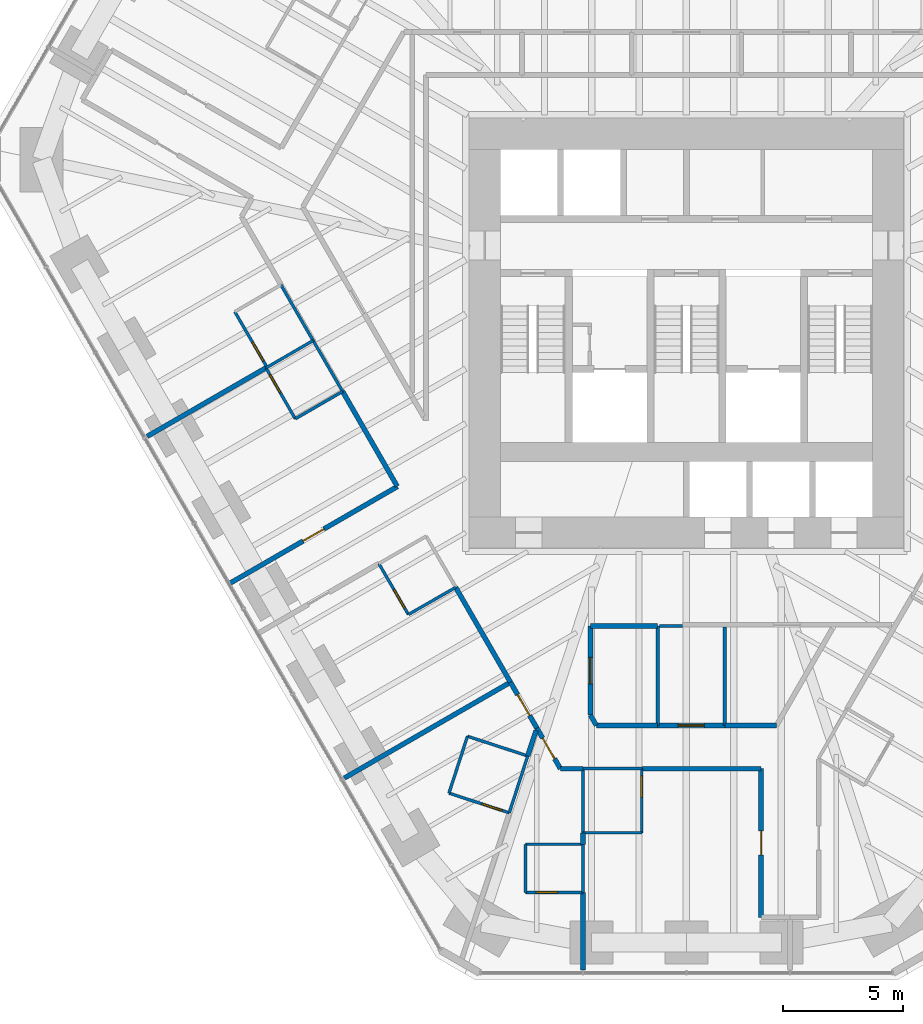
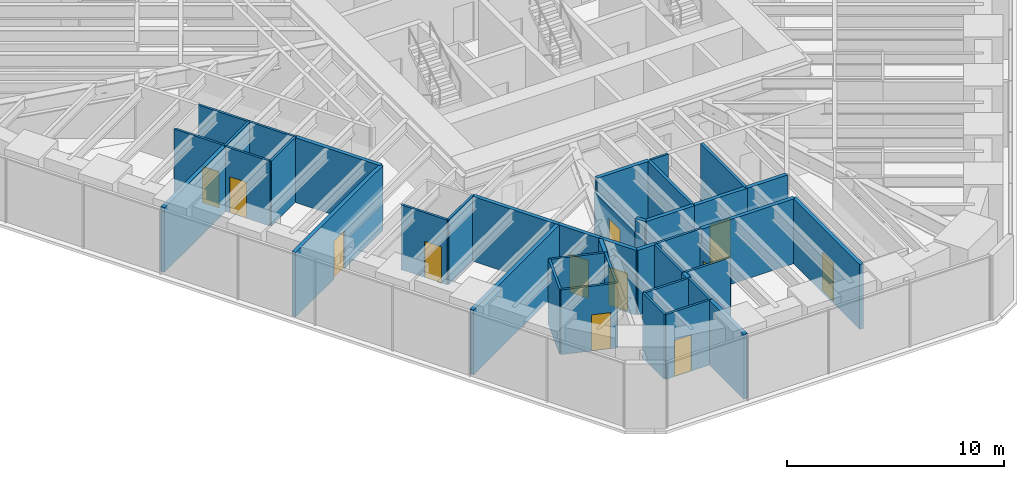
# One storey, part 11 of 17: 42 walls, 12 doors, 12 openings.
"""IFC4 building model written with IfcOpenShell, lengths in metres."""

from ifc_helpers import new_model, si_unit, direction, frame, frame_2d, origin, place, context, subcontext, project, spatial, rectangle, extrude, material, layer, layer_set, type_object, element, fill, save


model = new_model("IFC4")

# Units and contexts
model_context = context("Model", 3, precision=1e-05, world=origin(), true_north=direction((0.0, 1.0)))
body_context = subcontext(model_context, "Body", "Model", "MODEL_VIEW")
ifc_project = project(units=[si_unit("LENGTHUNIT", "METRE"), si_unit("AREAUNIT", "SQUARE_METRE"), si_unit("VOLUMEUNIT", "CUBIC_METRE"), si_unit("PLANEANGLEUNIT", "RADIAN"), si_unit("MASSUNIT", "GRAM", prefix="KILO")], contexts=[model_context])

# Site, building, storey
site_placement = place(None, origin())
site = spatial("IfcSite", under=ifc_project, at=site_placement, CompositionType="ELEMENT")
building_placement = place(site_placement, origin())
building = spatial("IfcBuilding", under=site, at=building_placement, Name="Sandreach Pilgrim Tower", CompositionType="ELEMENT")
storey_placement = place(building_placement, frame((0.0, 0.0, 123.39990234375)))
storey = spatial("IfcBuildingStorey", under=building, at=storey_placement, Name="L30", CompositionType="ELEMENT", Elevation=123.39990234375)

# Walls
ifc_material_1 = material(Name="Gypsum board on steel studs", Category="steel")
ifc_layer_1 = layer(ifc_material_1, 0.14990234375)
ifc_layer_set_1 = layer_set([ifc_layer_1], Name="Back of house wall 150")
wall_type_1 = type_object("IfcWallType", Name="Back of house wall 150", PredefinedType="PARTITIONING", material=ifc_layer_set_1)
wall_1_placement = place(storey_placement, frame((-1.199951171875, -13.75, 0.0), z_axis=(0.0, 0.0, 1.0), x_axis=(0.0, -1.0, 0.0)))
element("IfcWall", 1, at=wall_1_placement, inside=storey, type_object=wall_type_1, Name="Back of house wall L30-089", PredefinedType="PARTITIONING", context=body_context, shape_type="SweptSolid", body=[
    extrude(rectangle(XDim=4.139892578125, YDim=0.14990234375, at=frame_2d((2.06982421875, 0.0))), origin(), (0.0, 0.0, 1.0), 3.64013671875),
])
wall_2_placement = place(storey_placement, frame((1.60009765625, -13.800048828125, 0.0), z_axis=(0.0, 0.0, 1.0), x_axis=(0.0, -1.0, 0.0)))
element("IfcWall", 2, at=wall_2_placement, inside=storey, type_object=wall_type_1, Name="Back of house wall L30-093", PredefinedType="PARTITIONING", context=body_context, shape_type="SweptSolid", body=[
    extrude(rectangle(XDim=4.08984375, YDim=0.14990234375, at=frame_2d((2.044921875, 0.0))), origin(), (0.0, 0.0, 1.0), 3.64013671875),
])

# Wall, opening, door
ifc_material_2 = material(Name="Moisture-resistant gypsum board on steel studs", Category="steel")
ifc_layer_2 = layer(ifc_material_2, 0.1201171875)
ifc_layer_set_2 = layer_set([ifc_layer_2], Name="Bathroom partition 120")
wall_type_2 = type_object("IfcWallType", Name="Bathroom partition 120", PredefinedType="PARTITIONING", material=ifc_layer_set_2)
wall_3_placement = place(storey_placement, frame((-18.81005859375, -0.659912109375, 0.0), z_axis=(0.0, 0.0, 1.0), x_axis=(0.501789229896, -0.86498992408, 0.0)))
wall_3 = element("IfcWall", 3, at=wall_3_placement, inside=storey, type_object=wall_type_2, Name="Bathroom partition L30-007", PredefinedType="PARTITIONING", context=body_context, shape_type="SweptSolid", body=[
    extrude(rectangle(XDim=2.670654296875, YDim=0.1201171875, at=frame_2d((1.33544921875, 0.0))), origin(), (0.0, 0.0, 1.0), 3.64013671875),
])
opening_1_placement = place(wall_3_placement, frame((1.470458984375, 0.0, 0.0)))
opening_1 = element("IfcOpeningElement", 4, at=opening_1_placement, cuts=wall_3, Name="Opening D09-17B", PredefinedType="OPENING", context=body_context, shape_type="SweptSolid", body=[
    extrude(rectangle(XDim=0.89990234375, YDim=2.030029296875, at=frame_2d((0.449951171875, 1.01513671875))), frame((0.0, 0.06005859375, 0.0), z_axis=(0.0, -1.0, 0.0), x_axis=(1.0, 0.0, 0.0)), (0.0, 0.0, 1.0), 0.1201171875),
])
ifc_material_3 = material(Name="Timber door, steel frame", Category="steel")
door_type_1 = type_object("IfcDoorType", Name="Bathroom door", OperationType="SINGLE_SWING_LEFT", PredefinedType="DOOR", material=ifc_material_3)
door_1_placement = place(opening_1_placement, origin())
door_1 = element("IfcDoor", 5, at=door_1_placement, inside=storey, type_object=door_type_1, Name="Door 3017B", OperationType="SINGLE_SWING_RIGHT", OverallHeight=2.030029296875, OverallWidth=0.89990234375, PredefinedType="DOOR", context=body_context, shape_type="SweptSolid", body=[
    extrude(rectangle(XDim=0.89990234375, YDim=2.030029296875, at=frame_2d((0.449951171875, 1.01513671875))), frame((0.0, 0.02490234375, 0.0), z_axis=(0.0, -1.0, 0.0), x_axis=(1.0, 0.0, 0.0)), (0.0, 0.0, 1.0), 0.050048828125),
])
fill(opening_1, door_1)

# Wall
wall_4_placement = place(storey_placement, frame((-17.510009765625, -3.0, 0.0), z_axis=(0.0, 0.0, 1.0), x_axis=(0.864434275542, 0.502745843611, 0.0)))
element("IfcWall", 6, at=wall_4_placement, inside=storey, type_object=wall_type_2, Name="Bathroom partition L30-011", PredefinedType="PARTITIONING", context=body_context, shape_type="SweptSolid", body=[
    extrude(rectangle(XDim=2.267333984375, YDim=0.1201171875, at=frame_2d((1.1337890625, 0.0))), origin(), (0.0, 0.0, 1.0), 3.64013671875),
])

# Wall, opening, door
wall_5_placement = place(storey_placement, frame((-17.507568359375, -3.00439453125, 0.0), z_axis=(0.0, 0.0, 1.0), x_axis=(0.498775507858, -0.866731211369, 0.0)))
wall_5 = element("IfcWall", 7, at=wall_5_placement, inside=storey, type_object=wall_type_2, Name="Bathroom partition L30-012", PredefinedType="PARTITIONING", context=body_context, shape_type="SweptSolid", body=[
    extrude(rectangle(XDim=2.44091796875, YDim=0.1201171875, at=frame_2d((1.220458984375, 0.0))), origin(), (0.0, 0.0, 1.0), 3.64013671875),
])
opening_2_placement = place(wall_5_placement, frame((0.300048828125, 0.0, 0.0)))
opening_2 = element("IfcOpeningElement", 8, at=opening_2_placement, cuts=wall_5, Name="Opening D09-16B", PredefinedType="OPENING", context=body_context, shape_type="SweptSolid", body=[
    extrude(rectangle(XDim=0.89990234375, YDim=2.030029296875, at=frame_2d((0.449951171875, 1.01513671875))), frame((0.0, 0.06005859375, 0.0), z_axis=(0.0, -1.0, 0.0), x_axis=(1.0, 0.0, 0.0)), (0.0, 0.0, 1.0), 0.1201171875),
])
door_2_placement = place(opening_2_placement, origin())
door_2 = element("IfcDoor", 9, at=door_2_placement, inside=storey, type_object=door_type_1, Name="Door 3016B", OperationType="SINGLE_SWING_LEFT", OverallHeight=2.030029296875, OverallWidth=0.89990234375, PredefinedType="DOOR", context=body_context, shape_type="SweptSolid", body=[
    extrude(rectangle(XDim=0.89990234375, YDim=2.030029296875, at=frame_2d((0.449951171875, 1.01513671875))), frame((0.0, 0.02490234375, 0.0), z_axis=(0.0, -1.0, 0.0), x_axis=(1.0, 0.0, 0.0)), (0.0, 0.0, 1.0), 0.050048828125),
])
fill(opening_2, door_2)

# Walls
wall_6_placement = place(storey_placement, frame((-16.2900390625, -5.1201171875, 0.0), z_axis=(0.0, 0.0, 1.0), x_axis=(0.865497265561, 0.500913648553, 0.0)))
element("IfcWall", 10, at=wall_6_placement, inside=storey, type_object=wall_type_2, Name="Bathroom partition L30-019", PredefinedType="PARTITIONING", context=body_context, shape_type="SweptSolid", body=[
    extrude(rectangle(XDim=2.276123046875, YDim=0.1201171875, at=frame_2d((1.13818359375, 0.0))), origin(), (0.0, 0.0, 1.0), 3.64013671875),
])
wall_7_placement = place(storey_placement, frame((-15.550048828125, -1.860107421875, 0.0), z_axis=(0.0, 0.0, 1.0), x_axis=(-0.500098439427, 0.865968562295, 0.0)))
element("IfcWall", 11, at=wall_7_placement, inside=storey, type_object=wall_type_2, Name="Bathroom partition L30-024", PredefinedType="PARTITIONING", context=body_context, shape_type="SweptSolid", body=[
    extrude(rectangle(XDim=2.67919921875, YDim=0.1201171875, at=frame_2d((1.339599609375, 0.0))), origin(), (0.0, 0.0, 1.0), 3.64013671875),
])
wall_8_placement = place(storey_placement, frame((-15.550048828125, -1.860107421875, 0.0), z_axis=(0.0, 0.0, 1.0), x_axis=(0.501856726365, -0.86495076519, 0.0)))
element("IfcWall", 12, at=wall_8_placement, inside=storey, type_object=wall_type_2, Name="Bathroom partition L30-025", PredefinedType="PARTITIONING", context=body_context, shape_type="SweptSolid", body=[
    extrude(rectangle(XDim=2.450927734375, YDim=0.1201171875, at=frame_2d((1.2255859375, 0.0))), origin(), (0.0, 0.0, 1.0), 3.64013671875),
])

# Wall, opening, door
wall_9_placement = place(storey_placement, frame((-12.81005859375, -11.14990234375, 0.0), z_axis=(0.0, 0.0, 1.0), x_axis=(0.501813488763, -0.864975850817, 0.0)))
wall_9 = element("IfcWall", 13, at=wall_9_placement, inside=storey, type_object=wall_type_2, Name="Bathroom partition L30-034", PredefinedType="PARTITIONING", context=body_context, shape_type="SweptSolid", body=[
    extrude(rectangle(XDim=2.451171875, YDim=0.1201171875, at=frame_2d((1.2255859375, 0.0))), origin(), (0.0, 0.0, 1.0), 3.64013671875),
])
opening_3_placement = place(wall_9_placement, frame((1.2509765625, 0.0, 0.0)))
opening_3 = element("IfcOpeningElement", 14, at=opening_3_placement, cuts=wall_9, Name="Opening D09-15B", PredefinedType="OPENING", context=body_context, shape_type="SweptSolid", body=[
    extrude(rectangle(XDim=0.89990234375, YDim=2.030029296875, at=frame_2d((0.449951171875, 1.01513671875))), frame((0.0, 0.06005859375, 0.0), z_axis=(0.0, -1.0, 0.0), x_axis=(1.0, 0.0, 0.0)), (0.0, 0.0, 1.0), 0.1201171875),
])
door_3_placement = place(opening_3_placement, origin())
door_3 = element("IfcDoor", 15, at=door_3_placement, inside=storey, type_object=door_type_1, Name="Door 3015B", OperationType="SINGLE_SWING_RIGHT", OverallHeight=2.030029296875, OverallWidth=0.89990234375, PredefinedType="DOOR", context=body_context, shape_type="SweptSolid", body=[
    extrude(rectangle(XDim=0.89990234375, YDim=2.030029296875, at=frame_2d((0.449951171875, 1.01513671875))), frame((0.0, 0.02490234375, 0.0), z_axis=(0.0, -1.0, 0.0), x_axis=(1.0, 0.0, 0.0)), (0.0, 0.0, 1.0), 0.050048828125),
])
fill(opening_3, door_3)

# Wall
wall_10_placement = place(storey_placement, frame((-11.580078125, -13.27001953125, 0.0), z_axis=(0.0, 0.0, 1.0), x_axis=(0.867428373024, 0.497562074192, 0.0)))
element("IfcWall", 16, at=wall_10_placement, inside=storey, type_object=wall_type_2, Name="Bathroom partition L30-041", PredefinedType="PARTITIONING", context=body_context, shape_type="SweptSolid", body=[
    extrude(rectangle(XDim=2.271240234375, YDim=0.1201171875, at=frame_2d((1.1357421875, 0.0))), origin(), (0.0, 0.0, 1.0), 3.64013671875),
])

# Wall, opening, door
wall_11_placement = place(storey_placement, frame((-9.889892578125, -20.7099609375, 0.0), z_axis=(0.0, 0.0, 1.0), x_axis=(0.950543631688, -0.310591056307, 0.0)))
wall_11 = element("IfcWall", 17, at=wall_11_placement, inside=storey, type_object=wall_type_2, Name="Bathroom partition L30-050", PredefinedType="PARTITIONING", context=body_context, shape_type="SweptSolid", body=[
    extrude(rectangle(XDim=2.640380859375, YDim=0.1201171875, at=frame_2d((1.3203125, 0.0))), origin(), (0.0, 0.0, 1.0), 3.64013671875),
])
opening_4_placement = place(wall_11_placement, frame((1.4404296875, 0.0, 0.0)))
opening_4 = element("IfcOpeningElement", 18, at=opening_4_placement, cuts=wall_11, Name="Opening D09-14B", PredefinedType="OPENING", context=body_context, shape_type="SweptSolid", body=[
    extrude(rectangle(XDim=0.89990234375, YDim=2.030029296875, at=frame_2d((0.449951171875, 1.01513671875))), frame((0.0, 0.06005859375, 0.0), z_axis=(0.0, -1.0, 0.0), x_axis=(1.0, 0.0, 0.0)), (0.0, 0.0, 1.0), 0.1201171875),
])
door_4_placement = place(opening_4_placement, origin())
door_4 = element("IfcDoor", 19, at=door_4_placement, inside=storey, type_object=door_type_1, Name="Door 3014B", OperationType="SINGLE_SWING_RIGHT", OverallHeight=2.030029296875, OverallWidth=0.89990234375, PredefinedType="DOOR", context=body_context, shape_type="SweptSolid", body=[
    extrude(rectangle(XDim=0.89990234375, YDim=2.030029296875, at=frame_2d((0.449951171875, 1.01513671875))), frame((0.0, 0.02490234375, 0.0), z_axis=(0.0, -1.0, 0.0), x_axis=(1.0, 0.0, 0.0)), (0.0, 0.0, 1.0), 0.050048828125),
])
fill(opening_4, door_4)

# Walls
for number, where, z_axis, x_axis, name in (
    (20, (-9.1201171875, -18.340087890625, 0.0), (0.0, 0.0, 1.0), (-0.308928769498, -0.951085177772, 0.0), "Bathroom partition L30-054"),
    (21, (-7.3798828125, -21.530029296875, 0.0), (0.0, 0.0, 1.0), (0.308928769498, 0.951085177772, 0.0), "Bathroom partition L30-055"),
):
    element("IfcWall", number, at=place(storey_placement, frame(where, z_axis=z_axis, x_axis=x_axis)), inside=storey, type_object=wall_type_2, Name=name, PredefinedType="PARTITIONING", context=body_context, shape_type="SweptSolid", body=[
        extrude(rectangle(XDim=2.49169921875, YDim=0.1201171875, at=frame_2d((1.245849609375, 0.0))), origin(), (0.0, 0.0, 1.0), 3.64013671875),
    ])

# Wall, opening, door
wall_12_placement = place(storey_placement, frame((-6.7099609375, -24.840087890625, 0.0), z_axis=(0.0, 0.0, 1.0), x_axis=(1.0, 0.0, 0.0)))
wall_12 = element("IfcWall", 22, at=wall_12_placement, inside=storey, type_object=wall_type_2, Name="Bathroom partition L30-061", PredefinedType="PARTITIONING", context=body_context, shape_type="SweptSolid", body=[
    extrude(rectangle(XDim=2.39990234375, YDim=0.1201171875, at=frame_2d((1.199951171875, 0.0))), origin(), (0.0, 0.0, 1.0), 3.64013671875),
])
opening_5_placement = place(wall_12_placement, frame((0.449951171875, 0.0, 0.0)))
opening_5 = element("IfcOpeningElement", 23, at=opening_5_placement, cuts=wall_12, Name="Opening D09-13B", PredefinedType="OPENING", context=body_context, shape_type="SweptSolid", body=[
    extrude(rectangle(XDim=0.89990234375, YDim=2.030029296875, at=frame_2d((0.449951171875, 1.01513671875))), frame((0.0, 0.06005859375, 0.0), z_axis=(0.0, -1.0, 0.0), x_axis=(1.0, 0.0, 0.0)), (0.0, 0.0, 1.0), 0.1201171875),
])
door_5_placement = place(opening_5_placement, origin())
door_5 = element("IfcDoor", 24, at=door_5_placement, inside=storey, type_object=door_type_1, Name="Door 3013B", OperationType="SINGLE_SWING_LEFT", OverallHeight=2.030029296875, OverallWidth=0.89990234375, PredefinedType="DOOR", context=body_context, shape_type="SweptSolid", body=[
    extrude(rectangle(XDim=0.89990234375, YDim=2.030029296875, at=frame_2d((0.449951171875, 1.01513671875))), frame((0.0, 0.02490234375, 0.0), z_axis=(0.0, -1.0, 0.0), x_axis=(1.0, 0.0, 0.0)), (0.0, 0.0, 1.0), 0.050048828125),
])
fill(opening_5, door_5)

# Walls
wall_13_placement = place(storey_placement, frame((-6.7099609375, -22.840087890625, 0.0), z_axis=(0.0, 0.0, 1.0), x_axis=(0.0, -1.0, 0.0)))
element("IfcWall", 25, at=wall_13_placement, inside=storey, type_object=wall_type_2, Name="Bathroom partition L30-062", PredefinedType="PARTITIONING", context=body_context, shape_type="SweptSolid", body=[
    extrude(rectangle(XDim=2.0, YDim=0.1201171875, at=frame_2d((1.0, 0.0))), origin(), (0.0, 0.0, 1.0), 3.64013671875),
])
wall_14_placement = place(storey_placement, frame((-6.610107421875, -19.159912109375, 0.0), z_axis=(0.0, 0.0, 1.0), x_axis=(-0.950570927373, 0.31050750721, 0.0)))
element("IfcWall", 26, at=wall_14_placement, inside=storey, type_object=wall_type_2, Name="Bathroom partition L30-063", PredefinedType="PARTITIONING", context=body_context, shape_type="SweptSolid", body=[
    extrude(rectangle(XDim=2.640380859375, YDim=0.1201171875, at=frame_2d((1.3203125, 0.0))), origin(), (0.0, 0.0, 1.0), 3.64013671875),
])
wall_15_placement = place(storey_placement, frame((-4.31005859375, -24.840087890625, 0.0), z_axis=(0.0, 0.0, 1.0), x_axis=(0.0, 1.0, 0.0)))
element("IfcWall", 27, at=wall_15_placement, inside=storey, type_object=wall_type_2, Name="Bathroom partition L30-070", PredefinedType="PARTITIONING", context=body_context, shape_type="SweptSolid", body=[
    extrude(rectangle(XDim=2.0, YDim=0.1201171875, at=frame_2d((1.0, 0.0))), origin(), (0.0, 0.0, 1.0), 3.64013671875),
])
wall_16_placement = place(storey_placement, frame((-4.31005859375, -22.840087890625, 0.0), z_axis=(0.0, 0.0, 1.0), x_axis=(-1.0, 0.0, 0.0)))
element("IfcWall", 28, at=wall_16_placement, inside=storey, type_object=wall_type_2, Name="Bathroom partition L30-071", PredefinedType="PARTITIONING", context=body_context, shape_type="SweptSolid", body=[
    extrude(rectangle(XDim=2.39990234375, YDim=0.1201171875, at=frame_2d((1.199951171875, 0.0))), origin(), (0.0, 0.0, 1.0), 3.64013671875),
])
wall_17_placement = place(storey_placement, frame((-4.31005859375, -22.360107421875, 0.0), z_axis=(0.0, 0.0, 1.0), x_axis=(0.0, 1.0, 0.0)))
element("IfcWall", 29, at=wall_17_placement, inside=storey, type_object=wall_type_2, Name="Bathroom partition L30-073", PredefinedType="PARTITIONING", context=body_context, shape_type="SweptSolid", body=[
    extrude(rectangle(XDim=2.670166015625, YDim=0.1201171875, at=frame_2d((1.3349609375, 0.0))), origin(), (0.0, 0.0, 1.0), 3.64013671875),
])
for number, where, z_axis, x_axis, name in (
    (30, (-4.31005859375, -22.360107421875, 0.0), (0.0, 0.0, 1.0), (1.0, 0.0, 0.0), "Bathroom partition L30-074"),
    (31, (-4.31005859375, -19.68994140625, 0.0), (0.0, 0.0, 1.0), (1.0, 0.0, 0.0), "Bathroom partition L30-075"),
):
    element("IfcWall", number, at=place(storey_placement, frame(where, z_axis=z_axis, x_axis=x_axis)), inside=storey, type_object=wall_type_2, Name=name, PredefinedType="PARTITIONING", context=body_context, shape_type="SweptSolid", body=[
        extrude(rectangle(XDim=2.449951171875, YDim=0.1201171875, at=frame_2d((1.22509765625, 0.0))), origin(), (0.0, 0.0, 1.0), 3.64013671875),
    ])

# Wall, opening, door
wall_18_placement = place(storey_placement, frame((-1.860107421875, -22.360107421875, 0.0), z_axis=(0.0, 0.0, 1.0), x_axis=(0.0, 1.0, 0.0)))
wall_18 = element("IfcWall", 32, at=wall_18_placement, inside=storey, type_object=wall_type_2, Name="Bathroom partition L30-086", PredefinedType="PARTITIONING", context=body_context, shape_type="SweptSolid", body=[
    extrude(rectangle(XDim=2.670166015625, YDim=0.1201171875, at=frame_2d((1.3349609375, 0.0))), origin(), (0.0, 0.0, 1.0), 2.8603515625),
])
opening_6_placement = place(wall_18_placement, frame((1.469970703125, 0.0, 0.0)))
opening_6 = element("IfcOpeningElement", 33, at=opening_6_placement, cuts=wall_18, Name="Opening D09-12B", PredefinedType="OPENING", context=body_context, shape_type="SweptSolid", body=[
    extrude(rectangle(XDim=0.89990234375, YDim=2.030029296875, at=frame_2d((0.449951171875, 1.01513671875))), frame((0.0, 0.06005859375, 0.0), z_axis=(0.0, -1.0, 0.0), x_axis=(1.0, 0.0, 0.0)), (0.0, 0.0, 1.0), 0.1201171875),
])
door_6_placement = place(opening_6_placement, origin())
door_6 = element("IfcDoor", 34, at=door_6_placement, inside=storey, type_object=door_type_1, Name="Door 3012B", OperationType="SINGLE_SWING_RIGHT", OverallHeight=2.030029296875, OverallWidth=0.89990234375, PredefinedType="DOOR", context=body_context, shape_type="SweptSolid", body=[
    extrude(rectangle(XDim=0.89990234375, YDim=2.030029296875, at=frame_2d((0.449951171875, 1.01513671875))), frame((0.0, 0.02490234375, 0.0), z_axis=(0.0, -1.0, 0.0), x_axis=(1.0, 0.0, 0.0)), (0.0, 0.0, 1.0), 0.050048828125),
])
fill(opening_6, door_6)

# Walls
wall_19_placement = place(storey_placement, frame((-1.125, -13.75, 0.0), z_axis=(0.0, 0.0, 1.0), x_axis=(1.0, 0.0, 0.0)))
element("IfcWall", 35, at=wall_19_placement, inside=storey, type_object=wall_type_2, Name="Bathroom partition L30-090", PredefinedType="PARTITIONING", context=body_context, shape_type="SweptSolid", body=[
    extrude(rectangle(XDim=0.955078125, YDim=0.1201171875, at=frame_2d((0.4775390625, 0.0))), origin(), (0.0, 0.0, 1.0), 3.64013671875),
])
ifc_material_4 = material(Name="Gypsum board on steel studs, two layers each side", Category="steel")
ifc_layer_3 = layer(ifc_material_4, 0.199951171875)
ifc_layer_set_3 = layer_set([ifc_layer_3], Name="Corridor wall 200")
wall_type_3 = type_object("IfcWallType", Name="Corridor wall 200", PredefinedType="PARTITIONING", material=ifc_layer_set_3)
wall_20_placement = place(storey_placement, frame((-14.320068359375, -3.97998046875, 0.0), z_axis=(0.0, 0.0, 1.0), x_axis=(0.49899372311, -0.866605599046, 0.0)))
element("IfcWall", 36, at=wall_20_placement, inside=storey, type_object=wall_type_3, Name="Corridor wall L30-029", PredefinedType="PARTITIONING", context=body_context, shape_type="SweptSolid", body=[
    extrude(rectangle(XDim=4.5546875, YDim=0.199951171875, at=frame_2d((2.27734375, 0.0))), origin(), (0.0, 0.0, 1.0), 3.64013671875),
])

# Wall, opening, door
wall_21_placement = place(storey_placement, frame((-12.0400390625, -7.93994140625, 0.0), z_axis=(0.0, 0.0, 1.0), x_axis=(-0.86587701925, -0.500256921525, 0.0)))
wall_21 = element("IfcWall", 37, at=wall_21_placement, inside=storey, type_object=wall_type_3, Name="Corridor wall L30-039", PredefinedType="PARTITIONING", context=body_context, shape_type="SweptSolid", body=[
    extrude(rectangle(XDim=8.065673828125, YDim=0.199951171875, at=frame_2d((4.03271484375, 0.0))), origin(), (0.0, 0.0, 1.0), 3.64013671875),
])
opening_7_placement = place(wall_21_placement, frame((3.532958984375, 0.0, 0.0)))
opening_7 = element("IfcOpeningElement", 38, at=opening_7_placement, cuts=wall_21, Name="Opening D10-16", PredefinedType="OPENING", context=body_context, shape_type="SweptSolid", body=[
    extrude(rectangle(XDim=1.0, YDim=2.1298828125, at=frame_2d((0.5, 1.06494140625))), frame((0.0, 0.10009765625, 0.0), z_axis=(0.0, -1.0, 0.0), x_axis=(1.0, 0.0, 0.0)), (0.0, 0.0, 1.0), 0.199951171875),
])
ifc_material_5 = material(Name="Steel door and frame", Category="steel")
door_type_2 = type_object("IfcDoorType", Name="Guest room entry door", OperationType="SINGLE_SWING_LEFT", PredefinedType="DOOR", material=ifc_material_5)
door_7_placement = place(opening_7_placement, origin())
door_7 = element("IfcDoor", 39, at=door_7_placement, inside=storey, type_object=door_type_2, Name="Door 3016", OperationType="SINGLE_SWING_LEFT", OverallHeight=2.1298828125, OverallWidth=1.0, PredefinedType="DOOR", context=body_context, shape_type="SweptSolid", body=[
    extrude(rectangle(XDim=1.0, YDim=2.1298828125, at=frame_2d((0.5, 1.06494140625))), frame((0.0, 0.02490234375, 0.0), z_axis=(0.0, -1.0, 0.0), x_axis=(1.0, 0.0, 0.0)), (0.0, 0.0, 1.0), 0.050048828125),
])
fill(opening_7, door_7)

# Wall
wall_22_placement = place(storey_placement, frame((-9.610107421875, -12.139892578125, 0.0), z_axis=(0.0, 0.0, 1.0), x_axis=(0.499898533245, -0.866083977718, 0.0)))
element("IfcWall", 40, at=wall_22_placement, inside=storey, type_object=wall_type_3, Name="Corridor wall L30-053", PredefinedType="PARTITIONING", context=body_context, shape_type="SweptSolid", body=[
    extrude(rectangle(XDim=4.56103515625, YDim=0.199951171875, at=frame_2d((2.280517578125, 0.0))), origin(), (0.0, 0.0, 1.0), 3.64013671875),
])

# Wall, opening, door
wall_23_placement = place(storey_placement, frame((-7.330078125, -16.090087890625, 0.0), z_axis=(0.0, 0.0, 1.0), x_axis=(0.499118212815, -0.866533905648, 0.0)))
wall_23 = element("IfcWall", 41, at=wall_23_placement, inside=storey, type_object=wall_type_3, Name="Corridor wall L30-057", PredefinedType="PARTITIONING", context=body_context, shape_type="SweptSolid", body=[
    extrude(rectangle(XDim=2.2041015625, YDim=0.199951171875, at=frame_2d((1.10205078125, 0.0))), origin(), (0.0, 0.0, 1.0), 3.64013671875),
])
opening_8_placement = place(wall_23_placement, frame((0.60205078125, 0.0, 0.0)))
opening_8 = element("IfcOpeningElement", 42, at=opening_8_placement, cuts=wall_23, Name="Opening D10-14", PredefinedType="OPENING", context=body_context, shape_type="SweptSolid", body=[
    extrude(rectangle(XDim=1.0, YDim=2.1298828125, at=frame_2d((0.5, 1.06494140625))), frame((0.0, 0.10009765625, 0.0), z_axis=(0.0, -1.0, 0.0), x_axis=(1.0, 0.0, 0.0)), (0.0, 0.0, 1.0), 0.199951171875),
])
door_8_placement = place(opening_8_placement, origin())
door_8 = element("IfcDoor", 43, at=door_8_placement, inside=storey, type_object=door_type_2, Name="Door 3014", OperationType="SINGLE_SWING_LEFT", OverallHeight=2.1298828125, OverallWidth=1.0, PredefinedType="DOOR", context=body_context, shape_type="SweptSolid", body=[
    extrude(rectangle(XDim=1.0, YDim=2.1298828125, at=frame_2d((0.5, 1.06494140625))), frame((0.0, 0.02490234375, 0.0), z_axis=(0.0, -1.0, 0.0), x_axis=(1.0, 0.0, 0.0)), (0.0, 0.0, 1.0), 0.050048828125),
])
fill(opening_8, door_8)

wall_24_placement = place(storey_placement, frame((-6.22998046875, -18.0, 0.0), z_axis=(0.0, 0.0, 1.0), x_axis=(0.501647016168, -0.86507240805, 0.0)))
wall_24 = element("IfcWall", 44, at=wall_24_placement, inside=storey, type_object=wall_type_3, Name="Corridor wall L30-065", PredefinedType="PARTITIONING", context=body_context, shape_type="SweptSolid", body=[
    extrude(rectangle(XDim=1.95361328125, YDim=0.199951171875, at=frame_2d((0.976806640625, 0.0))), origin(), (0.0, 0.0, 1.0), 3.64013671875),
])
opening_9_placement = place(wall_24_placement, frame((0.476806640625, 0.0, 0.0)))
opening_9 = element("IfcOpeningElement", 45, at=opening_9_placement, cuts=wall_24, Name="Opening D10-13", PredefinedType="OPENING", context=body_context, shape_type="SweptSolid", body=[
    extrude(rectangle(XDim=1.0, YDim=2.1298828125, at=frame_2d((0.5, 1.06494140625))), frame((0.0, 0.10009765625, 0.0), z_axis=(0.0, -1.0, 0.0), x_axis=(1.0, 0.0, 0.0)), (0.0, 0.0, 1.0), 0.199951171875),
])
door_9_placement = place(opening_9_placement, origin())
door_9 = element("IfcDoor", 46, at=door_9_placement, inside=storey, type_object=door_type_2, Name="Door 3013", OperationType="SINGLE_SWING_LEFT", OverallHeight=2.1298828125, OverallWidth=1.0, PredefinedType="DOOR", context=body_context, shape_type="SweptSolid", body=[
    extrude(rectangle(XDim=1.0, YDim=2.1298828125, at=frame_2d((0.5, 1.06494140625))), frame((0.0, 0.02490234375, 0.0), z_axis=(0.0, -1.0, 0.0), x_axis=(1.0, 0.0, 0.0)), (0.0, 0.0, 1.0), 0.050048828125),
])
fill(opening_9, door_9)

# Wall
wall_25_placement = place(storey_placement, frame((-5.25, -19.68994140625, 0.0), z_axis=(0.0, 0.0, 1.0), x_axis=(1.0, 0.0, 0.0)))
element("IfcWall", 47, at=wall_25_placement, inside=storey, type_object=wall_type_3, Name="Corridor wall L30-068", PredefinedType="PARTITIONING", context=body_context, shape_type="SweptSolid", body=[
    extrude(rectangle(XDim=0.93994140625, YDim=0.199951171875, at=frame_2d((0.469970703125, 0.0))), origin(), (0.0, 0.0, 1.0), 3.64013671875),
])

# Wall, opening, door
wall_26_placement = place(storey_placement, frame((-4.0, -17.4599609375, 0.0), z_axis=(0.0, 0.0, 1.0), x_axis=(0.0, 1.0, 0.0)))
wall_26 = element("IfcWall", 48, at=wall_26_placement, inside=storey, type_object=wall_type_3, Name="Corridor wall L30-076", PredefinedType="PARTITIONING", context=body_context, shape_type="SweptSolid", body=[
    extrude(rectangle(XDim=3.7099609375, YDim=0.199951171875, at=frame_2d((1.85498046875, 0.0))), origin(), (0.0, 0.0, 1.0), 2.878173828125),
])
opening_10_placement = place(wall_26_placement, frame((1.304931640625, 0.0, 0.0)))
opening_10 = element("IfcOpeningElement", 49, at=opening_10_placement, cuts=wall_26, Name="Opening D11H-S2", PredefinedType="OPENING", context=body_context, shape_type="SweptSolid", body=[
    extrude(rectangle(XDim=1.10009765625, YDim=2.199951171875, at=frame_2d((0.550048828125, 1.10009765625))), frame((0.0, 0.10009765625, 0.0), z_axis=(0.0, -1.0, 0.0), x_axis=(1.0, 0.0, 0.0)), (0.0, 0.0, 1.0), 0.199951171875),
])
ifc_material_6 = material(Name="Steel door and frame", Category="steel")
door_type_3 = type_object("IfcDoorType", Name="Back of house door", OperationType="SINGLE_SWING_LEFT", PredefinedType="DOOR", material=ifc_material_6)
door_10_placement = place(opening_10_placement, origin())
door_10 = element("IfcDoor", 50, at=door_10_placement, inside=storey, type_object=door_type_3, Name="Door 30S2", OperationType="SINGLE_SWING_LEFT", OverallHeight=2.199951171875, OverallWidth=1.10009765625, PredefinedType="DOOR", context=body_context, shape_type="SweptSolid", body=[
    extrude(rectangle(XDim=1.10009765625, YDim=2.199951171875, at=frame_2d((0.550048828125, 1.10009765625))), frame((0.0, 0.02490234375, 0.0), z_axis=(0.0, -1.0, 0.0), x_axis=(1.0, 0.0, 0.0)), (0.0, 0.0, 1.0), 0.050048828125),
])
fill(opening_10, door_10)

# Walls
wall_27_placement = place(storey_placement, frame((-3.989990234375, -13.75, 0.0), z_axis=(0.0, 0.0, 1.0), x_axis=(1.0, 0.0, 0.0)))
element("IfcWall", 51, at=wall_27_placement, inside=storey, type_object=wall_type_3, Name="Corridor wall L30-077", PredefinedType="PARTITIONING", context=body_context, shape_type="SweptSolid", body=[
    extrude(rectangle(XDim=2.7900390625, YDim=0.199951171875, at=frame_2d((1.39501953125, 0.0))), origin(), (0.0, 0.0, 1.0), 3.64013671875),
])
wall_28_placement = place(storey_placement, frame((-3.75, -17.889892578125, 0.0), z_axis=(0.0, 0.0, 1.0), x_axis=(-0.502680181512, 0.864472460588, 0.0)))
element("IfcWall", 52, at=wall_28_placement, inside=storey, type_object=wall_type_3, Name="Corridor wall L30-078", PredefinedType="PARTITIONING", context=body_context, shape_type="SweptSolid", body=[
    extrude(rectangle(XDim=0.497314453125, YDim=0.199951171875, at=frame_2d((0.24853515625, 0.0))), origin(), (0.0, 0.0, 1.0), 3.64013671875),
])
wall_29_placement = place(storey_placement, frame((-1.860107421875, -19.68994140625, 0.0), z_axis=(0.0, 0.0, 1.0), x_axis=(1.0, 0.0, 0.0)))
element("IfcWall", 53, at=wall_29_placement, inside=storey, type_object=wall_type_3, Name="Corridor wall L30-087", PredefinedType="PARTITIONING", context=body_context, shape_type="SweptSolid", body=[
    extrude(rectangle(XDim=4.960205078125, YDim=0.199951171875, at=frame_2d((2.47998046875, 0.0))), origin(), (0.0, 0.0, 1.0), 3.64013671875),
])
wall_30_placement = place(storey_placement, frame((-1.199951171875, -17.889892578125, 0.0), z_axis=(0.0, 0.0, 1.0), x_axis=(-1.0, 0.0, 0.0)))
element("IfcWall", 54, at=wall_30_placement, inside=storey, type_object=wall_type_3, Name="Corridor wall L30-088", PredefinedType="PARTITIONING", context=body_context, shape_type="SweptSolid", body=[
    extrude(rectangle(XDim=2.550048828125, YDim=0.199951171875, at=frame_2d((1.27490234375, 0.0))), origin(), (0.0, 0.0, 1.0), 3.64013671875),
])

# Wall, opening, door
wall_31_placement = place(storey_placement, frame((1.60009765625, -17.889892578125, 0.0), z_axis=(0.0, 0.0, 1.0), x_axis=(-1.0, 0.0, 0.0)))
wall_31 = element("IfcWall", 55, at=wall_31_placement, inside=storey, type_object=wall_type_3, Name="Corridor wall L30-092", PredefinedType="PARTITIONING", context=body_context, shape_type="SweptSolid", body=[
    extrude(rectangle(XDim=2.800048828125, YDim=0.199951171875, at=frame_2d((1.39990234375, 0.0))), origin(), (0.0, 0.0, 1.0), 3.64013671875),
])
opening_11_placement = place(wall_31_placement, frame((0.85009765625, 0.0, 0.0)))
opening_11 = element("IfcOpeningElement", 56, at=opening_11_placement, cuts=wall_31, Name="Opening D11H-S3", PredefinedType="OPENING", context=body_context, shape_type="SweptSolid", body=[
    extrude(rectangle(XDim=1.10009765625, YDim=2.199951171875, at=frame_2d((0.550048828125, 1.10009765625))), frame((0.0, 0.10009765625, 0.0), z_axis=(0.0, -1.0, 0.0), x_axis=(1.0, 0.0, 0.0)), (0.0, 0.0, 1.0), 0.199951171875),
])
door_11_placement = place(opening_11_placement, origin())
door_11 = element("IfcDoor", 57, at=door_11_placement, inside=storey, type_object=door_type_3, Name="Door 30S3", OperationType="SINGLE_SWING_LEFT", OverallHeight=2.199951171875, OverallWidth=1.10009765625, PredefinedType="DOOR", context=body_context, shape_type="SweptSolid", body=[
    extrude(rectangle(XDim=1.10009765625, YDim=2.199951171875, at=frame_2d((0.550048828125, 1.10009765625))), frame((0.0, 0.02490234375, 0.0), z_axis=(0.0, -1.0, 0.0), x_axis=(1.0, 0.0, 0.0)), (0.0, 0.0, 1.0), 0.050048828125),
])
fill(opening_11, door_11)

wall_32_placement = place(storey_placement, frame((3.110107421875, -19.68994140625, 0.0), z_axis=(0.0, 0.0, 1.0), x_axis=(0.0, -1.0, 0.0)))
wall_32 = element("IfcWall", 58, at=wall_32_placement, inside=storey, type_object=wall_type_3, Name="Corridor wall L30-097", PredefinedType="PARTITIONING", context=body_context, shape_type="SweptSolid", body=[
    extrude(rectangle(XDim=6.18994140625, YDim=0.199951171875, at=frame_2d((3.094970703125, 0.0))), origin(), (0.0, 0.0, 1.0), 3.64013671875),
])
opening_12_placement = place(wall_32_placement, frame((2.594970703125, 0.0, 0.0)))
opening_12 = element("IfcOpeningElement", 59, at=opening_12_placement, cuts=wall_32, Name="Opening D10-12", PredefinedType="OPENING", context=body_context, shape_type="SweptSolid", body=[
    extrude(rectangle(XDim=1.0, YDim=2.1298828125, at=frame_2d((0.5, 1.06494140625))), frame((0.0, 0.10009765625, 0.0), z_axis=(0.0, -1.0, 0.0), x_axis=(1.0, 0.0, 0.0)), (0.0, 0.0, 1.0), 0.199951171875),
])
door_12_placement = place(opening_12_placement, origin())
door_12 = element("IfcDoor", 60, at=door_12_placement, inside=storey, type_object=door_type_2, Name="Door 3012", OperationType="SINGLE_SWING_LEFT", OverallHeight=2.1298828125, OverallWidth=1.0, PredefinedType="DOOR", context=body_context, shape_type="SweptSolid", body=[
    extrude(rectangle(XDim=1.0, YDim=2.1298828125, at=frame_2d((0.5, 1.06494140625))), frame((0.0, 0.02490234375, 0.0), z_axis=(0.0, -1.0, 0.0), x_axis=(1.0, 0.0, 0.0)), (0.0, 0.0, 1.0), 0.050048828125),
])
fill(opening_12, door_12)

# Walls
wall_33_placement = place(storey_placement, frame((3.75, -17.889892578125, 0.0), z_axis=(0.0, 0.0, 1.0), x_axis=(-1.0, 0.0, 0.0)))
element("IfcWall", 61, at=wall_33_placement, inside=storey, type_object=wall_type_3, Name="Corridor wall L30-101", PredefinedType="PARTITIONING", context=body_context, shape_type="SweptSolid", body=[
    extrude(rectangle(XDim=2.14990234375, YDim=0.199951171875, at=frame_2d((1.074951171875, 0.0))), origin(), (0.0, 0.0, 1.0), 3.64013671875),
])
ifc_material_7 = material(Name="Double steel stud acoustic wall, gypsum board", Category="steel")
ifc_layer_4 = layer(ifc_material_7, 0.199951171875)
ifc_layer_set_4 = layer_set([ifc_layer_4], Name="Party wall 200")
wall_type_4 = type_object("IfcWallType", Name="Party wall 200", PredefinedType="PARTITIONING", material=ifc_layer_set_4)
wall_34_placement = place(storey_placement, frame((-17.469970703125, -2.969970703125, 0.0), z_axis=(0.0, 0.0, 1.0), x_axis=(-0.865919350456, -0.50018364478, 0.0)))
element("IfcWall", 62, at=wall_34_placement, inside=storey, type_object=wall_type_4, Name="Party wall L30-014", PredefinedType="PARTITIONING", context=body_context, shape_type="SweptSolid", body=[
    extrude(rectangle(XDim=5.758056640625, YDim=0.199951171875, at=frame_2d((2.87890625, 0.0))), origin(), (0.0, 0.0, 1.0), 3.64013671875),
])
wall_35_placement = place(storey_placement, frame((-14.24609375, -20.080078125, 0.0), z_axis=(0.0, 0.0, 1.0), x_axis=(0.866178955952, 0.49973394548, 0.0)))
element("IfcWall", 63, at=wall_35_placement, inside=storey, type_object=wall_type_4, Name="Party wall L30-031", PredefinedType="PARTITIONING", context=body_context, shape_type="SweptSolid", body=[
    extrude(rectangle(XDim=7.969482421875, YDim=0.199951171875, at=frame_2d((3.98486328125, 0.0))), origin(), (0.0, 0.0, 1.0), 3.64013671875),
])
wall_36_placement = place(storey_placement, frame((-6.610107421875, -19.159912109375, 0.0), z_axis=(0.0, 0.0, 1.0), x_axis=(0.311430803564, 0.9502688328, 0.0)))
element("IfcWall", 64, at=wall_36_placement, inside=storey, type_object=wall_type_4, Name="Party wall L30-064", PredefinedType="PARTITIONING", context=body_context, shape_type="SweptSolid", body=[
    extrude(rectangle(XDim=1.115478515625, YDim=0.199951171875, at=frame_2d((0.5576171875, 0.0))), origin(), (0.0, 0.0, 1.0), 3.64013671875),
])
wall_37_placement = place(storey_placement, frame((-4.31005859375, -28.070068359375, 0.0), z_axis=(0.0, 0.0, 1.0), x_axis=(0.0, 1.0, 0.0)))
element("IfcWall", 65, at=wall_37_placement, inside=storey, type_object=wall_type_4, Name="Party wall L30-069", PredefinedType="PARTITIONING", context=body_context, shape_type="SweptSolid", body=[
    extrude(rectangle(XDim=3.22998046875, YDim=0.199951171875, at=frame_2d((1.614990234375, 0.0))), origin(), (0.0, 0.0, 1.0), 3.64013671875),
])
wall_38_placement = place(storey_placement, frame((-4.31005859375, -22.840087890625, 0.0), z_axis=(0.0, 0.0, 1.0), x_axis=(0.0, 1.0, 0.0)))
element("IfcWall", 66, at=wall_38_placement, inside=storey, type_object=wall_type_4, Name="Party wall L30-072", PredefinedType="PARTITIONING", context=body_context, shape_type="SweptSolid", body=[
    extrude(rectangle(XDim=0.47998046875, YDim=0.199951171875, at=frame_2d((0.239990234375, 0.0))), origin(), (0.0, 0.0, 1.0), 3.64013671875),
])

save(model, "model.ifc")
